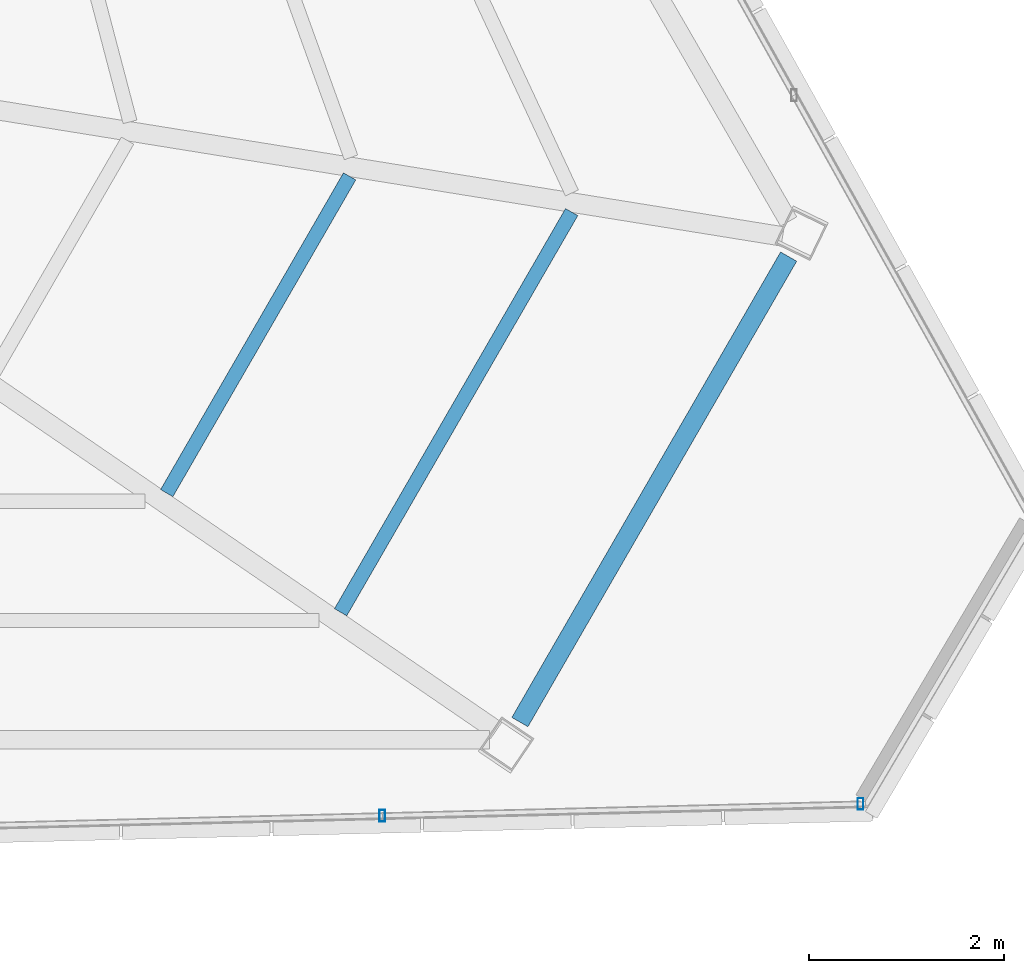
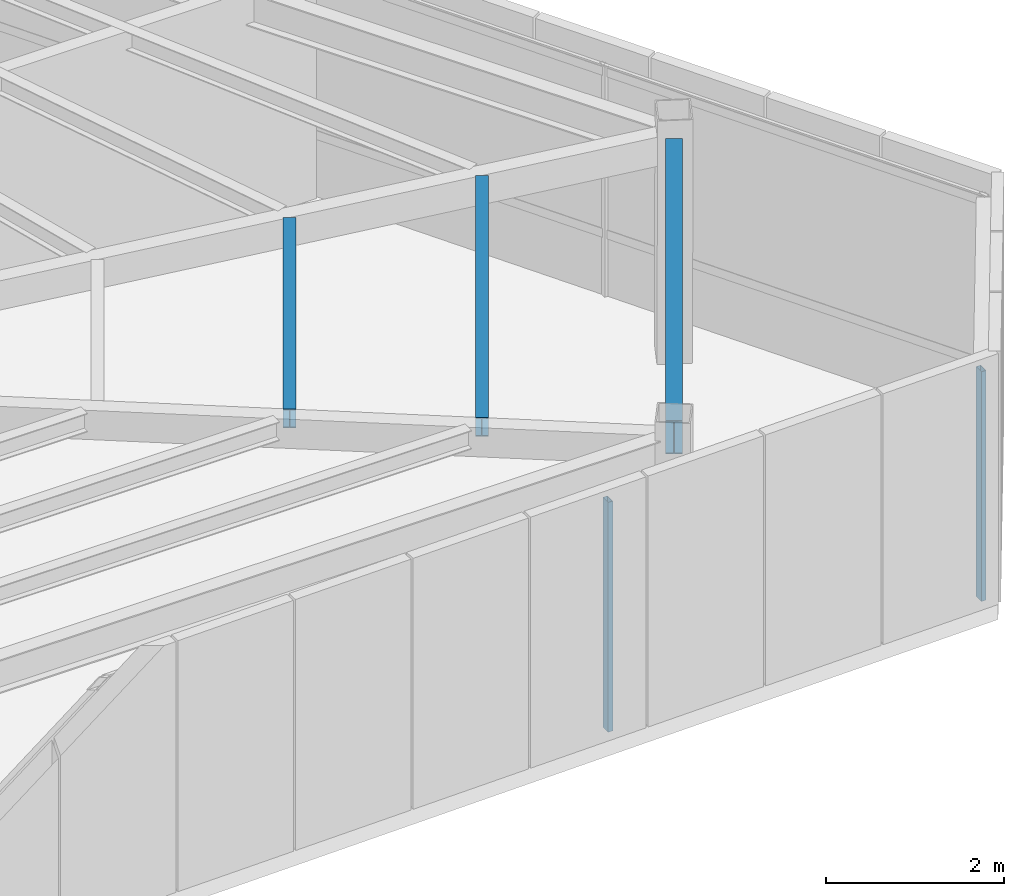
# One storey, part 23 of 44: 3 beams, 2 members, 1 element without a shape of its own.
"""IFC4 building model written with IfcOpenShell, lengths in metres."""

from ifc_helpers import new_model, si_unit, direction, frame, origin, origin_2d, place, context, subcontext, project, spatial, hollow_rectangle, i_section, extrude, source, transform, mapped, material, material_profile, profile_set, type_object, type_shapes, element, aggregate, save


model = new_model("IFC4")

# Units and contexts
model_context = context("Model", 3, precision=1e-05, world=origin(), true_north=direction((0.0, 1.0)))
body_context = subcontext(model_context, "Body", "Model", "MODEL_VIEW")
ifc_project = project(units=[si_unit("LENGTHUNIT", "METRE"), si_unit("AREAUNIT", "SQUARE_METRE"), si_unit("VOLUMEUNIT", "CUBIC_METRE"), si_unit("PLANEANGLEUNIT", "RADIAN"), si_unit("MASSUNIT", "GRAM", prefix="KILO")], contexts=[model_context])

# Site, building, storey
site_placement = place(None, origin())
site = spatial("IfcSite", under=ifc_project, at=site_placement, CompositionType="ELEMENT")
building_placement = place(site_placement, origin())
building = spatial("IfcBuilding", under=site, at=building_placement, Name="Caelisora Broadcast Tower", CompositionType="ELEMENT")
storey_placement = place(building_placement, frame((0.0, 0.0, 289.800048828125)))
storey = spatial("IfcBuildingStorey", under=building, at=storey_placement, Name="L76", CompositionType="ELEMENT", Elevation=289.800048828125)

# Beams
ifc_material_1 = material(Name="Steel Grade 350 (AS/NZS 3679.1)", Category="steel")
ifc_material_profile_1 = material_profile(ifc_material_1, i_section(OverallWidth=0.19091796875, OverallDepth=0.46044921875, WebThickness=0.010009765625, FlangeThickness=0.01611328125, at=origin_2d()), Name="Steel Grade 350 (AS/NZS 3679.1)")
ifc_profile_set_1 = profile_set([ifc_material_profile_1], Name="Steel Grade 350 (AS/NZS 3679.1)")
beam_type_1 = type_object("IfcBeamType", Name="PG06", PredefinedType="BEAM", material=ifc_profile_set_1)
shared_shape_1 = source(origin(), body_context, "Body", "SweptSolid", [
    extrude(i_section(OverallWidth=0.19091796875, OverallDepth=0.46044921875, WebThickness=0.010009765625, FlangeThickness=0.01611328125, at=origin_2d()), origin(), (0.0, 0.0, 1.0), 5.517822265625),
])
type_shapes(beam_type_1, [shared_shape_1])
beam_1_placement = place(storey_placement, frame((56.3134765625, 10.240966796875, 2.919677734375), z_axis=(0.500017361172, 0.866015380075, 0.0), x_axis=(-0.866015380075, 0.500017361172, 0.0)))
element("IfcBeam", 1, at=beam_1_placement, inside=storey, type_object=beam_type_1, Name="L76 beam PG06", PredefinedType="BEAM", context=body_context, shape_type="MappedRepresentation", body=[
    mapped(shared_shape_1, transform((0.0, 0.0, 0.0), scale=1.0)),
])
ifc_material_profile_2 = material_profile(ifc_material_1, i_section(OverallWidth=0.14599609375, OverallDepth=0.256103515625, WebThickness=0.00634765625, FlangeThickness=0.010986328125, at=origin_2d()), Name="Steel Grade 350 (AS/NZS 3679.1)")
ifc_profile_set_2 = profile_set([ifc_material_profile_2], Name="Steel Grade 350 (AS/NZS 3679.1)")
beam_type_2 = type_object("IfcBeamType", Name="SB04", PredefinedType="JOIST", material=ifc_profile_set_2)
shared_shape_2 = source(origin(), body_context, "Body", "SweptSolid", [
    extrude(i_section(OverallWidth=0.14599609375, OverallDepth=0.256103515625, WebThickness=0.00634765625, FlangeThickness=0.010986328125, at=origin_2d()), origin(), (0.0, 0.0, 1.0), 3.754638671875),
])
beam_2_placement = place(storey_placement, frame((52.688232421875, 12.591552734375, 3.02197265625), z_axis=(0.500041409633, 0.866001494602, 0.0), x_axis=(-0.866001494602, 0.500041409633, 0.0)))
element("IfcBeam", 2, at=beam_2_placement, inside=storey, type_object=beam_type_2, Name="L76 beam SB04", PredefinedType="JOIST", context=body_context, shape_type="MappedRepresentation", body=[
    mapped(shared_shape_2, transform((0.0, 0.0, 0.0), scale=1.0)),
])
shared_shape_3 = source(origin(), body_context, "Body", "SweptSolid", [
    extrude(i_section(OverallWidth=0.14599609375, OverallDepth=0.256103515625, WebThickness=0.00634765625, FlangeThickness=0.010986328125, at=origin_2d()), origin(), (0.0, 0.0, 1.0), 4.743408203125),
])
type_shapes(beam_type_2, [shared_shape_2, shared_shape_3])
beam_3_placement = place(storey_placement, frame((54.47314453125, 11.368408203125, 3.02197265625), z_axis=(0.500019469389, 0.866014162835, 0.0), x_axis=(-0.866014162835, 0.500019469389, 0.0)))
element("IfcBeam", 3, at=beam_3_placement, inside=storey, type_object=beam_type_2, Name="L76 beam SB04", PredefinedType="JOIST", context=body_context, shape_type="MappedRepresentation", body=[
    mapped(shared_shape_3, transform((0.0, 0.0, 0.0), scale=1.0)),
])

# Curtain wall, members
ifc_material_2 = material(Name="Unitised Aluminium Insulated Shadow-Box Spandrel Curtain Wall", Category="aluminium")
curtain_wall_type = type_object("IfcCurtainWallType", Name="CW-SP3", PredefinedType="NOTDEFINED", material=ifc_material_2)
curtain_wall_placement = place(storey_placement, origin())
curtain_wall = element("IfcCurtainWall", 4, at=curtain_wall_placement, inside=storey, type_object=curtain_wall_type, Name="L76 curtain wall CW-SP3", PredefinedType="NOTDEFINED")
ifc_material_3 = material(Name="Aluminium 6063-T6 Anodised Terracotta Bronze", Category="aluminium")
ifc_material_profile_3 = material_profile(ifc_material_3, hollow_rectangle(XDim=0.06005859375, YDim=0.1201171875, WallThickness=0.0029296875, at=origin_2d()), Name="Aluminium 6063-T6 Anodised Terracotta Bronze")
ifc_profile_set_3 = profile_set([ifc_material_profile_3], Name="Aluminium 6063-T6 Anodised Terracotta Bronze")
member_type = type_object("IfcMemberType", Name="CWM-04", PredefinedType="MULLION", material=ifc_profile_set_3)
shared_shape_4 = source(origin(), body_context, "Body", "SweptSolid", [
    extrude(hollow_rectangle(XDim=0.06005859375, YDim=0.1201171875, WallThickness=0.0029296875, at=origin_2d()), origin(), (0.0, 0.0, 1.0), 3.14990234375),
])
type_shapes(member_type, [shared_shape_4])
member_1_placement = place(storey_placement, frame((59.81005859375, 9.40087890625, 0.0), z_axis=(0.0, 0.0, 1.0), x_axis=(1.0, 0.0, 0.0)))
member_1 = element("IfcMember", 5, at=member_1_placement, type_object=member_type, Name="L76-CW-B05 mullion #0", PredefinedType="MULLION", context=body_context, shape_type="MappedRepresentation", body=[
    mapped(shared_shape_4, transform((0.0, 0.0, 0.0), scale=1.0)),
])
member_2_placement = place(storey_placement, frame((54.90087890625, 9.280517578125, 0.0), z_axis=(0.0, 0.0, 1.0), x_axis=(1.0, 0.0, 0.0)))
member_2 = element("IfcMember", 6, at=member_2_placement, type_object=member_type, Name="L76-CW-B05 mullion #1", PredefinedType="MULLION", context=body_context, shape_type="MappedRepresentation", body=[
    mapped(shared_shape_4, transform((0.0, 0.0, 0.0), scale=1.0)),
])
aggregate(curtain_wall, [member_1, member_2])

save(model, "model.ifc")
